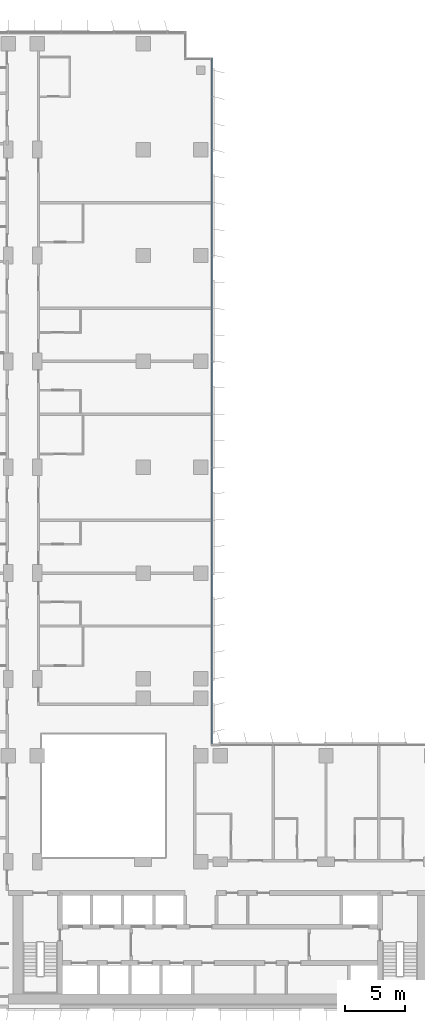
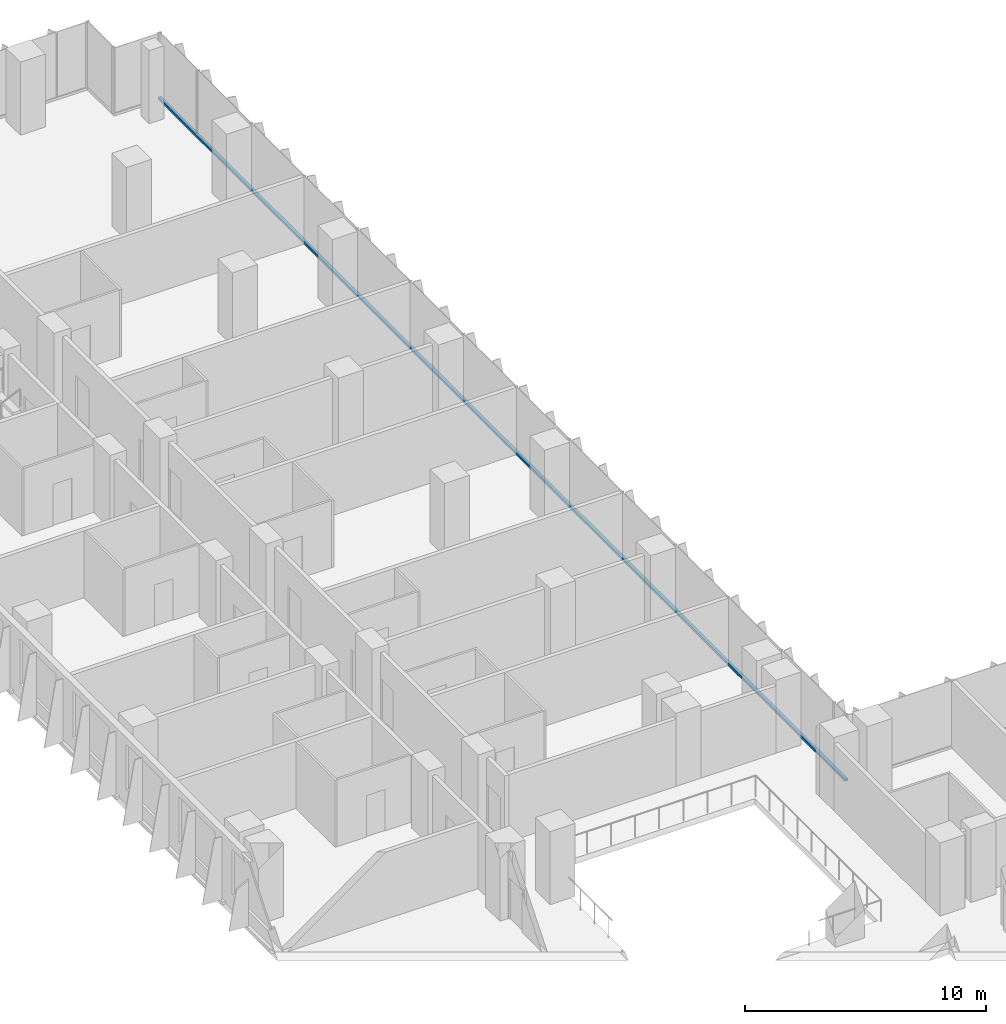
# One storey, part 6 of 23: 1 member, 1 element without a shape of its own.
"""IFC4 building model written with IfcOpenShell, lengths in metres."""

from ifc_helpers import new_model, si_unit, direction, frame, origin, origin_2d, place, context, subcontext, project, spatial, rectangle, extrude, material, material_profile, profile_set, type_object, element, aggregate, save


model = new_model("IFC4")

# Units and contexts
model_context = context("Model", 3, precision=1e-05, world=origin(), true_north=direction((0.0, 1.0)))
body_context = subcontext(model_context, "Body", "Model", "MODEL_VIEW")
ifc_project = project(units=[si_unit("LENGTHUNIT", "METRE"), si_unit("AREAUNIT", "SQUARE_METRE"), si_unit("VOLUMEUNIT", "CUBIC_METRE"), si_unit("PLANEANGLEUNIT", "RADIAN"), si_unit("MASSUNIT", "GRAM", prefix="KILO")], contexts=[model_context])

# Site, building, storey
site_placement = place(None, origin())
site = spatial("IfcSite", under=ifc_project, at=site_placement, CompositionType="ELEMENT")
building_placement = place(site_placement, origin())
building = spatial("IfcBuilding", under=site, at=building_placement, Name="Kemantara Hotel Tower", CompositionType="ELEMENT")
storey_placement = place(building_placement, frame((0.0, 0.0, 142.0)))
storey = spatial("IfcBuildingStorey", under=building, at=storey_placement, Name="L34", CompositionType="ELEMENT", Elevation=142.0)

# Curtain wall, member
ifc_material_1 = material(Name="Low-E tinted double insulated glass 36 mm", Category="glass")
curtain_wall_type = type_object("IfcCurtainWallType", Name="TOWER CURTAIN WALL, FRONT FACES", PredefinedType="USERDEFINED", material=ifc_material_1)
curtain_wall_placement = place(storey_placement, origin())
curtain_wall = element("IfcCurtainWall", 1, at=curtain_wall_placement, inside=storey, type_object=curtain_wall_type, Name="CW4 L34 T2-R14-1", ObjectType="TOWER CURTAIN WALL, FRONT FACES", PredefinedType="USERDEFINED")
ifc_material_2 = material(Name="Aluminium 6063-T6 bronze anodised", Category="aluminium")
ifc_material_profile = material_profile(ifc_material_2, rectangle(XDim=0.14990234375, YDim=0.1201171875, at=origin_2d()), Name="TOWER CURTAIN WALL, FRONT FACES TRANSOM")
ifc_profile_set = profile_set([ifc_material_profile], Name="Aluminium 6063-T6 bronze anodised")
member_type = type_object("IfcMemberType", Name="TOWER CURTAIN WALL, FRONT FACES TRANSOM", PredefinedType="USERDEFINED", material=ifc_profile_set)
member_placement = place(storey_placement, frame((26.72509765625, 22.0, 0.06005859375), z_axis=(0.0, 1.0, 0.0), x_axis=(-1.0, 0.0, 0.0)))
member = element("IfcMember", 2, at=member_placement, type_object=member_type, Name="CW4 sill transom T2-R14-1", ObjectType="TRANSOM", PredefinedType="USERDEFINED", context=body_context, shape_type="SweptSolid", body=[
    extrude(rectangle(XDim=0.14990234375, YDim=0.1201171875, at=origin_2d()), origin(), (0.0, 0.0, 1.0), 57.0),
])
aggregate(curtain_wall, [member])

save(model, "model.ifc")
